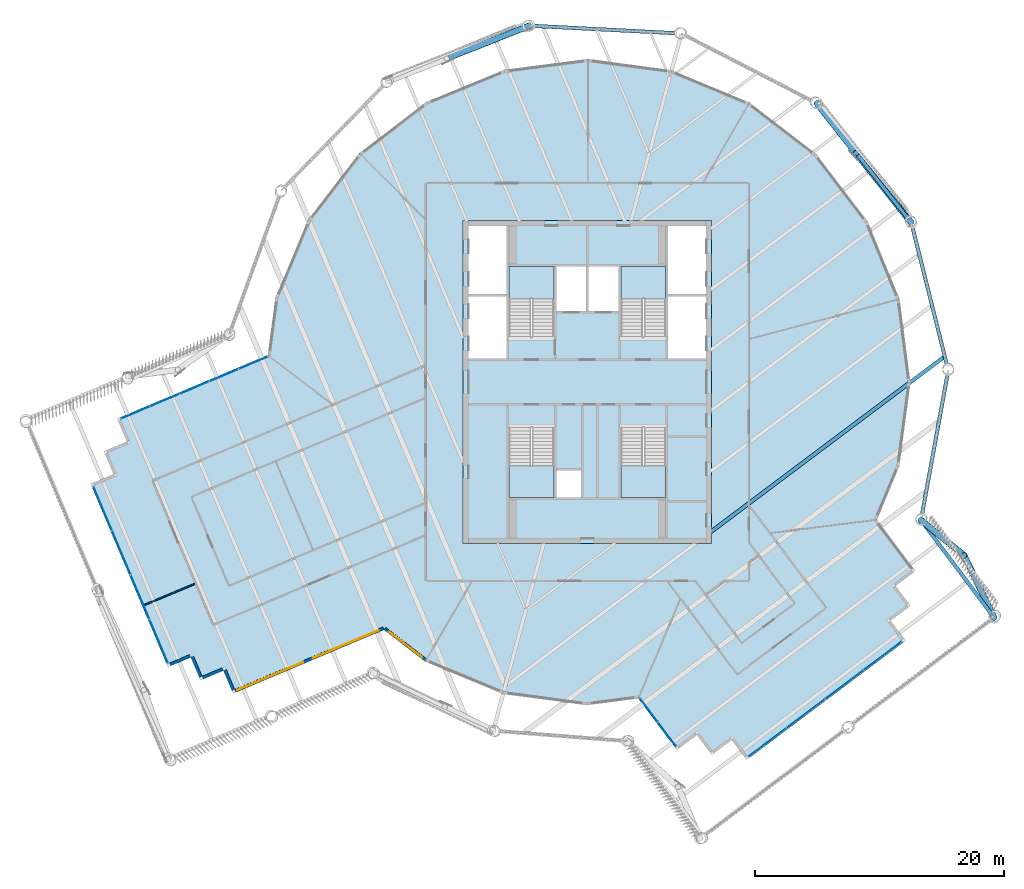
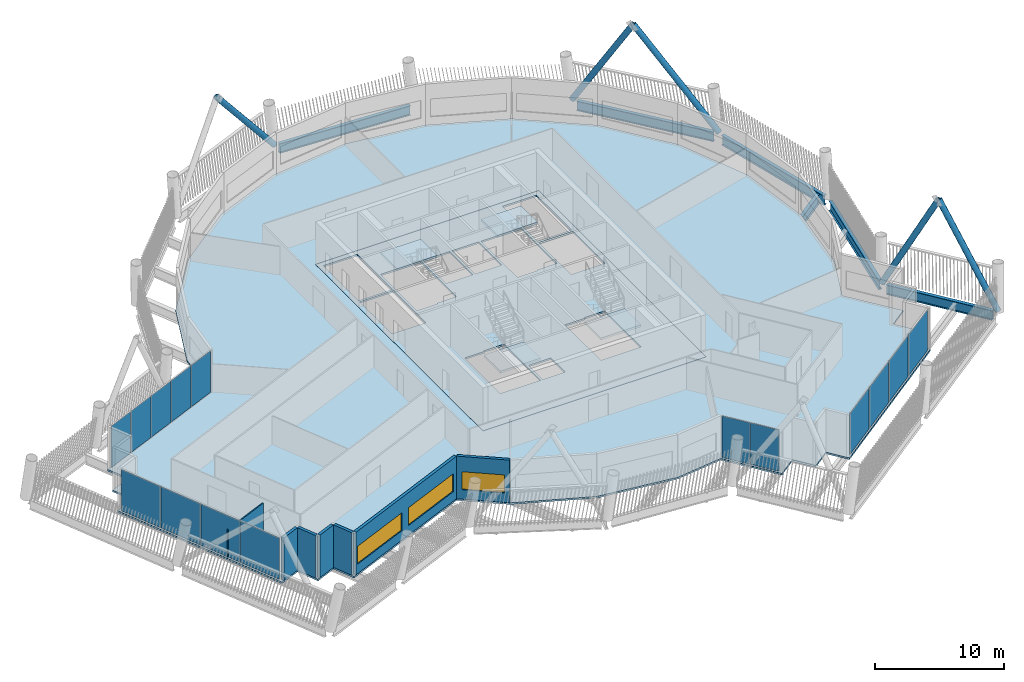
# One storey, part 16 of 35: 15 plates, 7 walls, 6 beams, 6 slabs, 5 members, 3 windows, 3 openings, 8 elements without a shape of their own.
"""IFC4 building model written with IfcOpenShell, lengths in metres."""

from ifc_helpers import new_model, si_unit, direction, frame, frame_2d, origin, origin_2d, place, context, subcontext, project, spatial, polyline, rectangle, hollow_circle, i_section, outline, extrude, material, layer, layer_set, material_profile, profile_set, type_object, element, fill, aggregate, save


model = new_model("IFC4")

# Units and contexts
model_context = context("Model", 3, precision=1e-05, world=origin(), true_north=direction((0.0, 1.0)))
body_context = subcontext(model_context, "Body", "Model", "MODEL_VIEW")
ifc_project = project(units=[si_unit("LENGTHUNIT", "METRE"), si_unit("AREAUNIT", "SQUARE_METRE"), si_unit("VOLUMEUNIT", "CUBIC_METRE"), si_unit("PLANEANGLEUNIT", "RADIAN"), si_unit("MASSUNIT", "GRAM", prefix="KILO")], contexts=[model_context])

# Site, building, storey
site_placement = place(None, origin())
site = spatial("IfcSite", under=ifc_project, at=site_placement, CompositionType="ELEMENT")
building_placement = place(site_placement, origin())
building = spatial("IfcBuilding", under=site, at=building_placement, Name="Tarsis Ring Headquarters", CompositionType="ELEMENT")
storey_placement = place(building_placement, frame((0.0, 0.0, 377.60009765625)))
storey = spatial("IfcBuildingStorey", under=building, at=storey_placement, Name="L89", CompositionType="ELEMENT", Elevation=377.60009765625)

# Beam
ifc_material_1 = material(Name="Structural steel S355", Category="steel")
ifc_material_profile_1 = material_profile(ifc_material_1, i_section(OverallWidth=0.3046875, OverallDepth=0.91943359375, WebThickness=0.017333984375, FlangeThickness=0.02783203125, at=origin_2d()), Name="W36x170")
ifc_profile_set_1 = profile_set([ifc_material_profile_1], Name="Structural steel S355")
beam_type_1 = type_object("IfcBeamType", Name="FB Floor beam W36x170", PredefinedType="JOIST", material=ifc_profile_set_1)
beam_1_placement = place(storey_placement, frame((9.919921875, -12.059814453125, -0.619873046875), z_axis=(0.799896412003, 0.600138092496, 0.0), x_axis=(-0.600138092496, 0.799896412003, 0.0)))
element("IfcBeam", 1, at=beam_1_placement, inside=storey, type_object=beam_type_1, Name="Floor beam FB9", PredefinedType="JOIST", context=body_context, shape_type="SweptSolid", body=[
    extrude(i_section(OverallWidth=0.3046875, OverallDepth=0.91943359375, WebThickness=0.017333984375, FlangeThickness=0.02783203125, at=origin_2d()), origin(), (0.0, 0.0, 1.0), 23.476806640625),
])

# Members
ifc_material_profile_2 = material_profile(ifc_material_1, hollow_circle(Radius=0.25390625, WallThickness=0.02001953125, at=origin_2d()), Name="CHS 508x20")
ifc_profile_set_2 = profile_set([ifc_material_profile_2], Name="Structural steel S355")
member_type = type_object("IfcMemberType", Name="XD X brace CHS 508x20", PredefinedType="BRACE", material=ifc_profile_set_2)
member_1_placement = place(storey_placement, frame((32.723388671875, -18.954345703125, 0.0), z_axis=(-0.239788765562, 0.497459918855, 0.833687577599), x_axis=(-0.900809750981, -0.434213993946, 0.0)))
element("IfcMember", 2, at=member_1_placement, inside=storey, type_object=member_type, Name="X brace XD2", PredefinedType="BRACE", context=body_context, shape_type="SweptSolid", body=[
    extrude(hollow_circle(Radius=0.25390625, WallThickness=0.02001953125, at=origin_2d()), origin(), (0.0, 0.0, 1.0), 10.07568359375),
])
member_2_placement = place(storey_placement, frame((26.83935546875, -11.111572265625, 0.0), z_axis=(0.364353475086, -0.297382202756, 0.882502334658), x_axis=(0.632313703011, 0.774712450516, 0.0)))
element("IfcMember", 3, at=member_2_placement, inside=storey, type_object=member_type, Name="X brace XD2", PredefinedType="BRACE", context=body_context, shape_type="SweptSolid", body=[
    extrude(hollow_circle(Radius=0.25390625, WallThickness=0.02001953125, at=origin_2d()), origin(), (0.0, 0.0, 1.0), 9.518310546875),
])
member_3_placement = place(storey_placement, frame((26.065185546875, 12.82275390625, 0.0), z_axis=(-0.403816531769, 0.507364905485, 0.761257552575), x_axis=(-0.782427612506, -0.622741544453, 0.0)))
element("IfcMember", 4, at=member_3_placement, inside=storey, type_object=member_type, Name="X brace XD2", PredefinedType="BRACE", context=body_context, shape_type="SweptSolid", body=[
    extrude(hollow_circle(Radius=0.25390625, WallThickness=0.02001953125, at=origin_2d()), origin(), (0.0, 0.0, 1.0), 11.0341796875),
])
member_4_placement = place(storey_placement, frame((18.46240234375, 22.4267578125, 0.0), z_axis=(0.320342178647, -0.407746634993, 0.855057641468), x_axis=(0.786346610693, 0.617785567857, 0.0)))
element("IfcMember", 5, at=member_4_placement, inside=storey, type_object=member_type, Name="X brace XD2", PredefinedType="BRACE", context=body_context, shape_type="SweptSolid", body=[
    extrude(hollow_circle(Radius=0.25390625, WallThickness=0.02001953125, at=origin_2d()), origin(), (0.0, 0.0, 1.0), 9.82373046875),
])
member_5_placement = place(storey_placement, frame((-4.655517578125, 28.673095703125, 0.0), z_axis=(-0.603147375281, -0.23811709658, 0.761257835433), x_axis=(0.367210039101, -0.93013804738, 0.0)))
element("IfcMember", 6, at=member_5_placement, inside=storey, type_object=member_type, Name="X brace XD2", PredefinedType="BRACE", context=body_context, shape_type="SweptSolid", body=[
    extrude(hollow_circle(Radius=0.25390625, WallThickness=0.02001953125, at=origin_2d()), origin(), (0.0, 0.0, 1.0), 11.0341796875),
])

# Beams
beam_type_2 = type_object("IfcBeamType", Name="XG Ring girder W36x170", PredefinedType="BEAM", material=ifc_profile_set_1)
beam_2_placement = place(storey_placement, frame((32.476318359375, -18.625, -0.4599609375), z_axis=(-0.600147865662, 0.799889079399, 0.0), x_axis=(-0.799889079399, -0.600147865662, 0.0)))
element("IfcBeam", 7, at=beam_2_placement, inside=storey, type_object=beam_type_2, Name="Ring girder XG4", PredefinedType="BEAM", context=body_context, shape_type="SweptSolid", body=[
    extrude(i_section(OverallWidth=0.3046875, OverallDepth=0.91943359375, WebThickness=0.017333984375, FlangeThickness=0.02783203125, at=origin_2d()), origin(), (0.0, 0.0, 1.0), 8.9814453125),
])
for number, where, z_axis, x_axis, name in (
    (8, (26.9130859375, -10.706787109375, -0.4599609375), (0.179124236756, 0.983826462241, 0.0), (-0.983826462241, 0.179124236756, 0.0), "Ring girder XG4"),
    (9, (28.93359375, 1.33837890625, -0.4599609375), (-0.242329485464, 0.97019401177, 0.0), (-0.97019401177, -0.242329485464, 0.0), "Ring girder XG4"),
):
    element("IfcBeam", number, at=place(storey_placement, frame(where, z_axis=z_axis, x_axis=x_axis)), inside=storey, type_object=beam_type_2, Name=name, PredefinedType="BEAM", context=body_context, shape_type="SweptSolid", body=[
        extrude(i_section(OverallWidth=0.3046875, OverallDepth=0.91943359375, WebThickness=0.017333984375, FlangeThickness=0.02783203125, at=origin_2d()), origin(), (0.0, 0.0, 1.0), 11.42578125),
    ])
beam_3_placement = place(storey_placement, frame((25.809814453125, 13.1455078125, -0.4599609375), z_axis=(-0.620697471414, 0.784050157184, 0.0), x_axis=(-0.784050157184, -0.620697471414, 0.0)))
element("IfcBeam", 10, at=beam_3_placement, inside=storey, type_object=beam_type_2, Name="Ring girder XG4", PredefinedType="BEAM", context=body_context, shape_type="SweptSolid", body=[
    extrude(i_section(OverallWidth=0.3046875, OverallDepth=0.91943359375, WebThickness=0.017333984375, FlangeThickness=0.02783203125, at=origin_2d()), origin(), (0.0, 0.0, 1.0), 11.426025390625),
])
beam_4_placement = place(storey_placement, frame((7.166015625, 28.06396484375, -0.4599609375), z_axis=(-0.998675417036, 0.05145300193, 0.0), x_axis=(-0.05145300193, -0.998675417036, 0.0)))
element("IfcBeam", 11, at=beam_4_placement, inside=storey, type_object=beam_type_2, Name="Ring girder XG4", PredefinedType="BEAM", context=body_context, shape_type="SweptSolid", body=[
    extrude(i_section(OverallWidth=0.3046875, OverallDepth=0.91943359375, WebThickness=0.017333984375, FlangeThickness=0.02783203125, at=origin_2d()), origin(), (0.0, 0.0, 1.0), 11.42578125),
])

# Slab
ifc_material_2 = material(Name="Concrete C40/50", Category="concrete")
ifc_layer_1 = layer(ifc_material_2, 0.159912109375)
ifc_layer_set_1 = layer_set([ifc_layer_1], Name="Core floor slab 160 C40/50")
slab_type_1 = type_object("IfcSlabType", Name="Core floor slab 160 C40/50", PredefinedType="FLOOR", material=ifc_layer_set_1)
slab_1_placement = place(storey_placement, frame((0.0, 0.0, -0.16015625)))
element("IfcSlab", 12, at=slab_1_placement, inside=storey, type_object=slab_type_1, Name="L89 core floor slab", PredefinedType="FLOOR", context=body_context, shape_type="SweptSolid", body=[
    extrude(outline(polyline([(-10.0, -13.0), (10.0, -13.0), (10.0, 13.0), (-10.0, 13.0), (-10.0, -13.0)]), holes=[polyline([(-2.5, 5.699951171875), (-0.10009765625, 5.699951171875), (-0.10009765625, 9.300048828125), (-2.5, 9.300048828125), (-2.5, 5.699951171875)]), polyline([(0.10009765625, 5.699951171875), (2.5, 5.699951171875), (2.5, 9.300048828125), (0.10009765625, 9.300048828125), (0.10009765625, 5.699951171875)]), polyline([(-9.550048828125, 1.89990234375), (-6.5, 1.89990234375), (-6.5, 6.89990234375), (-9.550048828125, 6.89990234375), (-9.550048828125, 1.89990234375)]), polyline([(-9.550048828125, 7.10009765625), (-6.5, 7.10009765625), (-6.5, 12.550048828125), (-9.550048828125, 12.550048828125), (-9.550048828125, 7.10009765625)]), polyline([(6.5, 1.89990234375), (9.550048828125, 1.89990234375), (9.550048828125, 6.89990234375), (6.5, 6.89990234375), (6.5, 1.89990234375)]), polyline([(6.5, 7.10009765625), (9.550048828125, 7.10009765625), (9.550048828125, 12.550048828125), (6.5, 12.550048828125), (6.5, 7.10009765625)]), polyline([(-2.5, -9.300048828125), (-0.5, -9.300048828125), (-0.5, -7.10009765625), (-2.5, -7.10009765625), (-2.5, -9.300048828125)]), polyline([(-2.699951171875, 3.760009765625), (-2.699951171875, 9.300048828125), (-6.300048828125, 9.300048828125), (-6.300048828125, 3.659912109375), (-4.4599609375, 3.659912109375), (-4.4599609375, 3.760009765625), (-2.699951171875, 3.760009765625)]), polyline([(6.300048828125, 3.760009765625), (6.300048828125, 9.300048828125), (2.699951171875, 9.300048828125), (2.699951171875, 3.659912109375), (4.5400390625, 3.659912109375), (4.5400390625, 3.760009765625), (6.300048828125, 3.760009765625)]), polyline([(-6.300048828125, -3.760009765625), (-6.300048828125, -9.300048828125), (-2.699951171875, -9.300048828125), (-2.699951171875, -3.659912109375), (-4.5400390625, -3.659912109375), (-4.5400390625, -3.760009765625), (-6.300048828125, -3.760009765625)]), polyline([(2.699951171875, -3.760009765625), (2.699951171875, -9.300048828125), (6.300048828125, -9.300048828125), (6.300048828125, -3.659912109375), (4.4599609375, -3.659912109375), (4.4599609375, -3.760009765625), (2.699951171875, -3.760009765625)])]), origin(), (0.0, 0.0, 1.0), 0.16015625),
])

# Stair, slab
ifc_material_3 = material(Name="Core stair 1760")
stair_type = type_object("IfcStairType", Name="Core stair 1760", PredefinedType="HALF_TURN_STAIR", material=ifc_material_3)
stair_1_placement = place(storey_placement, origin())
stair_1 = element("IfcStair", 13, at=stair_1_placement, inside=storey, type_object=stair_type, Name="L89 Firefighting stair", PredefinedType="HALF_TURN_STAIR")
ifc_layer_2 = layer(ifc_material_2, 0.199951171875)
ifc_layer_set_2 = layer_set([ifc_layer_2], Name="Core stair landing 200")
slab_type_2 = type_object("IfcSlabType", Name="Core stair landing 200", PredefinedType="LANDING", material=ifc_layer_set_2)
slab_2_placement = place(storey_placement, frame((0.0, 0.0, 1.89990234375)))
slab_2 = element("IfcSlab", 14, at=slab_2_placement, type_object=slab_type_2, Name="Stair ST1 landing 1", PredefinedType="LANDING", context=body_context, shape_type="SweptSolid", body=[
    extrude(outline(polyline([(-2.699951171875, 6.739990234375), (-2.699951171875, 9.300048828125), (-6.300048828125, 9.300048828125), (-6.300048828125, 6.739990234375), (-2.699951171875, 6.739990234375)])), origin(), (0.0, 0.0, 1.0), 0.199951171875),
])
aggregate(stair_1, [slab_2])

stair_2_placement = place(storey_placement, origin())
stair_2 = element("IfcStair", 15, at=stair_2_placement, inside=storey, type_object=stair_type, Name="L89 Exit stair B", PredefinedType="HALF_TURN_STAIR")
slab_3_placement = place(storey_placement, frame((0.0, 0.0, 1.89990234375)))
slab_3 = element("IfcSlab", 16, at=slab_3_placement, type_object=slab_type_2, Name="Stair ST2 landing 1", PredefinedType="LANDING", context=body_context, shape_type="SweptSolid", body=[
    extrude(outline(polyline([(6.300048828125, 6.739990234375), (6.300048828125, 9.300048828125), (2.699951171875, 9.300048828125), (2.699951171875, 6.739990234375), (6.300048828125, 6.739990234375)])), origin(), (0.0, 0.0, 1.0), 0.199951171875),
])
aggregate(stair_2, [slab_3])

stair_3_placement = place(storey_placement, origin())
stair_3 = element("IfcStair", 17, at=stair_3_placement, inside=storey, type_object=stair_type, Name="L89 Exit stair C", PredefinedType="HALF_TURN_STAIR")
slab_4_placement = place(storey_placement, frame((0.0, 0.0, 1.89990234375)))
slab_4 = element("IfcSlab", 18, at=slab_4_placement, type_object=slab_type_2, Name="Stair ST3 landing 1", PredefinedType="LANDING", context=body_context, shape_type="SweptSolid", body=[
    extrude(outline(polyline([(-6.300048828125, -6.739990234375), (-6.300048828125, -9.300048828125), (-2.699951171875, -9.300048828125), (-2.699951171875, -6.739990234375), (-6.300048828125, -6.739990234375)])), origin(), (0.0, 0.0, 1.0), 0.199951171875),
])
aggregate(stair_3, [slab_4])

stair_4_placement = place(storey_placement, origin())
stair_4 = element("IfcStair", 19, at=stair_4_placement, inside=storey, type_object=stair_type, Name="L89 Exit stair D", PredefinedType="HALF_TURN_STAIR")
slab_5_placement = place(storey_placement, frame((0.0, 0.0, 1.89990234375)))
slab_5 = element("IfcSlab", 20, at=slab_5_placement, type_object=slab_type_2, Name="Stair ST4 landing 1", PredefinedType="LANDING", context=body_context, shape_type="SweptSolid", body=[
    extrude(outline(polyline([(2.699951171875, -6.739990234375), (2.699951171875, -9.300048828125), (6.300048828125, -9.300048828125), (6.300048828125, -6.739990234375), (2.699951171875, -6.739990234375)])), origin(), (0.0, 0.0, 1.0), 0.199951171875),
])
aggregate(stair_4, [slab_5])

# Curtain wall, plates
ifc_material_4 = material(Name="Aluminium curtain wall", Category="aluminium")
ifc_layer_3 = layer(ifc_material_4, 0.199951171875)
ifc_layer_set_3 = layer_set([ifc_layer_3], Name="Curtain wall executive tip")
curtain_wall_type_1 = type_object("IfcCurtainWallType", Name="Curtain wall executive tip", PredefinedType="NOTDEFINED", material=ifc_layer_set_3)
curtain_wall_1_placement = place(storey_placement, origin())
curtain_wall_1 = element("IfcCurtainWall", 21, at=curtain_wall_1_placement, inside=storey, type_object=curtain_wall_type_1, Name="Curtain wall L89-11", PredefinedType="NOTDEFINED")
ifc_material_5 = material(Name="Clear double glazing", Category="glass")
ifc_layer_4 = layer(ifc_material_5, 0.028076171875)
ifc_layer_set_4 = layer_set([ifc_layer_4], Name="Curtain wall glass panel executive tip")
plate_type_1 = type_object("IfcPlateType", Name="Curtain wall glass panel executive tip", PredefinedType="CURTAIN_PANEL", material=ifc_layer_set_4)
plate_1_placement = place(storey_placement, frame((14.494140625, -28.974365234375, 0.070068359375), z_axis=(0.0, 0.0, 1.0), x_axis=(0.799894201763, 0.600141038412, 0.0)))
plate_1 = element("IfcPlate", 22, at=plate_1_placement, type_object=plate_type_1, Name="CW-E panel 1.1", PredefinedType="CURTAIN_PANEL", context=body_context, shape_type="SweptSolid", body=[
    extrude(rectangle(XDim=3.77001953125, YDim=0.028076171875, at=origin_2d()), origin(), (0.0, 0.0, 1.0), 3.89990234375),
])
plate_2_placement = place(storey_placement, frame((17.57958984375, -26.659423828125, 0.070068359375), z_axis=(0.0, 0.0, 1.0), x_axis=(0.799894201763, 0.600141038412, 0.0)))
plate_2 = element("IfcPlate", 23, at=plate_2_placement, type_object=plate_type_1, Name="CW-E panel 2.1", PredefinedType="CURTAIN_PANEL", context=body_context, shape_type="SweptSolid", body=[
    extrude(rectangle(XDim=3.804931640625, YDim=0.028076171875, at=origin_2d()), origin(), (0.0, 0.0, 1.0), 3.89990234375),
])
plate_3_placement = place(storey_placement, frame((20.67919921875, -24.333740234375, 0.070068359375), z_axis=(0.0, 0.0, 1.0), x_axis=(0.799894201763, 0.600141038412, 0.0)))
plate_3 = element("IfcPlate", 24, at=plate_3_placement, type_object=plate_type_1, Name="CW-E panel 3.1", PredefinedType="CURTAIN_PANEL", context=body_context, shape_type="SweptSolid", body=[
    extrude(rectangle(XDim=3.804931640625, YDim=0.028076171875, at=origin_2d()), origin(), (0.0, 0.0, 1.0), 3.89990234375),
])
plate_4_placement = place(storey_placement, frame((23.764892578125, -22.018798828125, 0.070068359375), z_axis=(0.0, 0.0, 1.0), x_axis=(0.799894201763, 0.600141038412, 0.0)))
plate_4 = element("IfcPlate", 25, at=plate_4_placement, type_object=plate_type_1, Name="CW-E panel 4.1", PredefinedType="CURTAIN_PANEL", context=body_context, shape_type="SweptSolid", body=[
    extrude(rectangle(XDim=3.77001953125, YDim=0.028076171875, at=origin_2d()), origin(), (0.0, 0.0, 1.0), 3.89990234375),
])
aggregate(curtain_wall_1, [plate_1, plate_2, plate_3, plate_4])

curtain_wall_2_placement = place(storey_placement, origin())
curtain_wall_2 = element("IfcCurtainWall", 26, at=curtain_wall_2_placement, inside=storey, type_object=curtain_wall_type_1, Name="Curtain wall L89-36", PredefinedType="NOTDEFINED")
plate_5_placement = place(storey_placement, frame((-38.99072265625, -10.16455078125, 0.070068359375), z_axis=(0.0, 0.0, 1.0), x_axis=(0.388802391289, -0.921321171215, 0.0)))
plate_5 = element("IfcPlate", 27, at=plate_5_placement, type_object=plate_type_1, Name="CW-E panel 1.1", PredefinedType="CURTAIN_PANEL", context=body_context, shape_type="SweptSolid", body=[
    extrude(rectangle(XDim=3.77001953125, YDim=0.028076171875, at=origin_2d()), origin(), (0.0, 0.0, 1.0), 3.89990234375),
])
plate_6_placement = place(storey_placement, frame((-37.490966796875, -13.718505859375, 0.070068359375), z_axis=(0.0, 0.0, 1.0), x_axis=(0.388802391289, -0.921321171215, 0.0)))
plate_6 = element("IfcPlate", 28, at=plate_6_placement, type_object=plate_type_1, Name="CW-E panel 2.1", PredefinedType="CURTAIN_PANEL", context=body_context, shape_type="SweptSolid", body=[
    extrude(rectangle(XDim=3.804931640625, YDim=0.028076171875, at=origin_2d()), origin(), (0.0, 0.0, 1.0), 3.89990234375),
])
plate_7_placement = place(storey_placement, frame((-35.984375, -17.28857421875, 0.070068359375), z_axis=(0.0, 0.0, 1.0), x_axis=(0.388802391289, -0.921321171215, 0.0)))
plate_7 = element("IfcPlate", 29, at=plate_7_placement, type_object=plate_type_1, Name="CW-E panel 3.1", PredefinedType="CURTAIN_PANEL", context=body_context, shape_type="SweptSolid", body=[
    extrude(rectangle(XDim=3.804931640625, YDim=0.028076171875, at=origin_2d()), origin(), (0.0, 0.0, 1.0), 3.89990234375),
])
plate_8_placement = place(storey_placement, frame((-34.484619140625, -20.842529296875, 0.070068359375), z_axis=(0.0, 0.0, 1.0), x_axis=(0.388802391289, -0.921321171215, 0.0)))
plate_8 = element("IfcPlate", 30, at=plate_8_placement, type_object=plate_type_1, Name="CW-E panel 4.1", PredefinedType="CURTAIN_PANEL", context=body_context, shape_type="SweptSolid", body=[
    extrude(rectangle(XDim=3.77001953125, YDim=0.028076171875, at=origin_2d()), origin(), (0.0, 0.0, 1.0), 3.89990234375),
])
aggregate(curtain_wall_2, [plate_5, plate_6, plate_7, plate_8])

ifc_layer_5 = layer(ifc_material_4, 0.14990234375)
ifc_layer_set_5 = layer_set([ifc_layer_5], Name="Curtain wall tower unit")
curtain_wall_type_2 = type_object("IfcCurtainWallType", Name="Curtain wall tower unit", PredefinedType="NOTDEFINED", material=ifc_layer_set_5)
curtain_wall_3_placement = place(storey_placement, origin())
curtain_wall_3 = element("IfcCurtainWall", 31, at=curtain_wall_3_placement, inside=storey, type_object=curtain_wall_type_2, Name="Curtain wall L89-06", PredefinedType="NOTDEFINED")
ifc_layer_6 = layer(ifc_material_5, 0.028076171875)
ifc_layer_set_6 = layer_set([ifc_layer_6], Name="Curtain wall glass panel tower unit")
plate_type_2 = type_object("IfcPlateType", Name="Curtain wall glass panel tower unit", PredefinedType="CURTAIN_PANEL", material=ifc_layer_set_6)
plate_9_placement = place(storey_placement, frame((4.94873046875, -26.3828125, 0.06005859375), z_axis=(0.0, 0.0, 1.0), x_axis=(0.60014094165, -0.799894274361, 0.0)))
plate_9 = element("IfcPlate", 32, at=plate_9_placement, type_object=plate_type_2, Name="CW-T panel 1.1", PredefinedType="CURTAIN_PANEL", context=body_context, shape_type="SweptSolid", body=[
    extrude(rectangle(XDim=2.37109375, YDim=0.028076171875, at=origin_2d()), origin(), (0.0, 0.0, 1.0), 3.919921875),
])
plate_10_placement = place(storey_placement, frame((6.40771484375, -28.327392578125, 0.06005859375), z_axis=(0.0, 0.0, 1.0), x_axis=(0.60014094165, -0.799894274361, 0.0)))
plate_10 = element("IfcPlate", 33, at=plate_10_placement, type_object=plate_type_2, Name="CW-T panel 2.1", PredefinedType="CURTAIN_PANEL", context=body_context, shape_type="SweptSolid", body=[
    extrude(rectangle(XDim=2.37109375, YDim=0.028076171875, at=origin_2d()), origin(), (0.0, 0.0, 1.0), 3.919921875),
])
aggregate(curtain_wall_3, [plate_9, plate_10])

curtain_wall_4_placement = place(storey_placement, origin())
curtain_wall_4 = element("IfcCurtainWall", 34, at=curtain_wall_4_placement, inside=storey, type_object=curtain_wall_type_2, Name="Curtain wall L89-31", PredefinedType="NOTDEFINED")
plate_11_placement = place(storey_placement, frame((-26.870361328125, 1.549560546875, 0.06005859375), z_axis=(0.0, 0.0, 1.0), x_axis=(-0.921321141838, -0.388802460899, 0.0)))
plate_11 = element("IfcPlate", 35, at=plate_11_placement, type_object=plate_type_2, Name="CW-T panel 1.1", PredefinedType="CURTAIN_PANEL", context=body_context, shape_type="SweptSolid", body=[
    extrude(rectangle(XDim=2.490234375, YDim=0.028076171875, at=origin_2d()), origin(), (0.0, 0.0, 1.0), 3.919921875),
])
plate_12_placement = place(storey_placement, frame((-29.23388671875, 0.55224609375, 0.06005859375), z_axis=(0.0, 0.0, 1.0), x_axis=(-0.921321141838, -0.388802460899, 0.0)))
plate_12 = element("IfcPlate", 36, at=plate_12_placement, type_object=plate_type_2, Name="CW-T panel 2.1", PredefinedType="CURTAIN_PANEL", context=body_context, shape_type="SweptSolid", body=[
    extrude(rectangle(XDim=2.520263671875, YDim=0.028076171875, at=origin_2d()), origin(), (0.0, 0.0, 1.0), 3.919921875),
])
plate_13_placement = place(storey_placement, frame((-31.611083984375, -0.450927734375, 0.06005859375), z_axis=(0.0, 0.0, 1.0), x_axis=(-0.921321141838, -0.388802460899, 0.0)))
plate_13 = element("IfcPlate", 37, at=plate_13_placement, type_object=plate_type_2, Name="CW-T panel 3.1", PredefinedType="CURTAIN_PANEL", context=body_context, shape_type="SweptSolid", body=[
    extrude(rectangle(XDim=2.520263671875, YDim=0.028076171875, at=origin_2d()), origin(), (0.0, 0.0, 1.0), 3.919921875),
])
plate_14_placement = place(storey_placement, frame((-33.98828125, -1.4541015625, 0.06005859375), z_axis=(0.0, 0.0, 1.0), x_axis=(-0.921321141838, -0.388802460899, 0.0)))
plate_14 = element("IfcPlate", 38, at=plate_14_placement, type_object=plate_type_2, Name="CW-T panel 4.1", PredefinedType="CURTAIN_PANEL", context=body_context, shape_type="SweptSolid", body=[
    extrude(rectangle(XDim=2.520263671875, YDim=0.028076171875, at=origin_2d()), origin(), (0.0, 0.0, 1.0), 3.919921875),
])
plate_15_placement = place(storey_placement, frame((-36.351806640625, -2.45166015625, 0.06005859375), z_axis=(0.0, 0.0, 1.0), x_axis=(-0.921321141838, -0.388802460899, 0.0)))
plate_15 = element("IfcPlate", 39, at=plate_15_placement, type_object=plate_type_2, Name="CW-T panel 5.1", PredefinedType="CURTAIN_PANEL", context=body_context, shape_type="SweptSolid", body=[
    extrude(rectangle(XDim=2.490234375, YDim=0.028076171875, at=origin_2d()), origin(), (0.0, 0.0, 1.0), 3.919921875),
])
aggregate(curtain_wall_4, [plate_11, plate_12, plate_13, plate_14, plate_15])

# Slab
ifc_material_6 = material(Name="Concrete C35/45", Category="concrete")
ifc_layer_7 = layer(ifc_material_6, 0.159912109375)
ifc_layer_set_7 = layer_set([ifc_layer_7], Name="FS Composite floor slab 160")
slab_type_3 = type_object("IfcSlabType", Name="FS Composite floor slab 160", PredefinedType="FLOOR", material=ifc_layer_set_7)
slab_6_placement = place(storey_placement, frame((0.0, 0.0, -0.16015625)))
element("IfcSlab", 40, at=slab_6_placement, inside=storey, type_object=slab_type_3, Name="Floor slab L89", PredefinedType="FLOOR", context=body_context, shape_type="SweptSolid", body=[
    extrude(outline(polyline([(-16.3662109375, -19.931396484375), (-13.047119140625, -22.489501953125), (-6.781982421875, -25.099853515625), (-0.054443359375, -26.0), (4.101318359375, -25.461669921875), (7.205322265625, -29.5986328125), (8.804931640625, -28.3984375), (10.00537109375, -29.998291015625), (11.60498046875, -28.7978515625), (12.805419921875, -30.397705078125), (25.603759765625, -20.79541015625), (24.4033203125, -19.19580078125), (26.003173828125, -17.995361328125), (24.802978515625, -16.3955078125), (26.402587890625, -15.1953125), (23.311279296875, -11.074951171875), (25.099853515625, -6.781982421875), (26.0, -0.054443359375), (25.128173828125, 6.6767578125), (22.5439453125, 12.952880859375), (18.42333984375, 18.34619140625), (13.047119140625, 22.489501953125), (6.781982421875, 25.099853515625), (0.054443359375, 26.0), (-6.6767578125, 25.128173828125), (-12.952880859375, 22.5439453125), (-18.34619140625, 18.42333984375), (-22.489501953125, 13.047119140625), (-25.099853515625, 6.781982421875), (-25.716552734375, 2.172119140625), (-37.833251953125, -2.94091796875), (-37.0556640625, -4.78369140625), (-38.898193359375, -5.561279296875), (-38.12060546875, -7.40380859375), (-39.96337890625, -8.181640625), (-33.742431640625, -22.922607421875), (-31.89990234375, -22.14501953125), (-31.1220703125, -23.98779296875), (-29.279541015625, -23.210205078125), (-28.501953125, -25.052734375), (-16.3662109375, -19.931396484375)]), holes=[polyline([(-10.0, -13.0), (-10.0, 13.0), (10.0, 13.0), (10.0, -13.0), (-10.0, -13.0)])]), origin(), (0.0, 0.0, 1.0), 0.16015625),
])

# Wall
ifc_material_7 = material(Name="Gypsum board on steel studs", Category="steel")
ifc_layer_8 = layer(ifc_material_7, 0.10009765625)
ifc_layer_set_8 = layer_set([ifc_layer_8], Name="FL partition 100 unrated")
wall_type_1 = type_object("IfcWallType", Name="FL partition 100 unrated", PredefinedType="PARTITIONING", material=ifc_layer_set_8)
wall_1_placement = place(storey_placement, frame((-35.768798828125, -17.99267578125, 0.0), z_axis=(0.0, 0.0, 1.0), x_axis=(0.921306074998, 0.388838161928, 0.0)))
element("IfcWall", 41, at=wall_1_placement, inside=storey, type_object=wall_type_1, Name="Partition PW3", PredefinedType="PARTITIONING", context=body_context, shape_type="SweptSolid", body=[
    extrude(rectangle(XDim=4.5400390625, YDim=0.10009765625, at=frame_2d((2.27001953125, 0.0))), origin(), (0.0, 0.0, 1.0), 2.699951171875),
])

# Wall, openings, windows
ifc_material_8 = material(Name="Terracotta clad insulated panel wall", Category="masonry")
ifc_layer_9 = layer(ifc_material_8, 0.25)
ifc_layer_set_9 = layer_set([ifc_layer_9], Name="Facade wall terracotta panel 250")
wall_type_2 = type_object("IfcWallType", Name="Facade wall terracotta panel 250", PredefinedType="STANDARD", material=ifc_layer_set_9)
wall_2_placement = place(storey_placement, frame((-28.3203125, -24.84033203125, 0.0), z_axis=(0.0, 0.0, 1.0), x_axis=(0.921321760548, 0.388800994778, 0.0)))
wall_2 = element("IfcWall", 42, at=wall_2_placement, inside=storey, type_object=wall_type_2, Name="External wall L89-01", PredefinedType="STANDARD", context=body_context, shape_type="SweptSolid", body=[
    extrude(rectangle(XDim=12.922119140625, YDim=0.25, at=frame_2d((6.4609375, 0.0))), origin(), (0.0, 0.0, 1.0), 4.039794921875),
])
opening_1_placement = place(wall_2_placement, frame((0.16796875, 0.0, 0.89990234375)))
opening_1 = element("IfcOpeningElement", 43, at=opening_1_placement, cuts=wall_2, Name="Opening WN06", PredefinedType="OPENING", context=body_context, shape_type="SweptSolid", body=[
    extrude(rectangle(XDim=5.75, YDim=1.699951171875, at=frame_2d((2.875, 0.85009765625))), frame((0.0, 0.135009765625, 0.0), z_axis=(0.0, -1.0, 0.0), x_axis=(1.0, 0.0, 0.0)), (0.0, 0.0, 1.0), 0.27001953125),
])
opening_2_placement = place(wall_2_placement, frame((6.75390625, 0.0, 0.89990234375)))
opening_2 = element("IfcOpeningElement", 44, at=opening_2_placement, cuts=wall_2, Name="Opening WN06", PredefinedType="OPENING", context=body_context, shape_type="SweptSolid", body=[
    extrude(rectangle(XDim=5.75, YDim=1.699951171875, at=frame_2d((2.875, 0.85009765625))), frame((0.0, 0.135009765625, 0.0), z_axis=(0.0, -1.0, 0.0), x_axis=(1.0, 0.0, 0.0)), (0.0, 0.0, 1.0), 0.27001953125),
])
ifc_material_9 = material(Name="Aluminium framed double glazing", Category="aluminium")
window_type_1 = type_object("IfcWindowType", Name="Facade window 5750 x 1700", PartitioningType="SINGLE_PANEL", PredefinedType="WINDOW", material=ifc_material_9)
window_1_placement = place(opening_1_placement, origin())
window_1 = element("IfcWindow", 45, at=window_1_placement, inside=storey, type_object=window_type_1, Name="Window L89-01.1", OverallHeight=1.699951171875, OverallWidth=5.75, PartitioningType="SINGLE_PANEL", PredefinedType="WINDOW", context=body_context, shape_type="SweptSolid", body=[
    extrude(rectangle(XDim=5.75, YDim=1.699951171875, at=frame_2d((2.875, 0.85009765625))), frame((0.0, 0.030029296875, 0.0), z_axis=(0.0, -1.0, 0.0), x_axis=(1.0, 0.0, 0.0)), (0.0, 0.0, 1.0), 0.06005859375),
])
fill(opening_1, window_1)
window_2_placement = place(opening_2_placement, origin())
window_2 = element("IfcWindow", 46, at=window_2_placement, inside=storey, type_object=window_type_1, Name="Window L89-01.2", OverallHeight=1.699951171875, OverallWidth=5.75, PartitioningType="SINGLE_PANEL", PredefinedType="WINDOW", context=body_context, shape_type="SweptSolid", body=[
    extrude(rectangle(XDim=5.75, YDim=1.699951171875, at=frame_2d((2.875, 0.85009765625))), frame((0.0, 0.030029296875, 0.0), z_axis=(0.0, -1.0, 0.0), x_axis=(1.0, 0.0, 0.0)), (0.0, 0.0, 1.0), 0.06005859375),
])
fill(opening_2, window_2)

# Wall, opening, window
wall_3_placement = place(storey_placement, frame((-16.2900390625, -19.83251953125, 0.0), z_axis=(0.0, 0.0, 1.0), x_axis=(0.79208886378, -0.610405792794, 0.0)))
wall_3 = element("IfcWall", 47, at=wall_3_placement, inside=storey, type_object=wall_type_2, Name="External wall L89-02", PredefinedType="STANDARD", context=body_context, shape_type="SweptSolid", body=[
    extrude(rectangle(XDim=4.15771484375, YDim=0.25, at=frame_2d((2.078857421875, 0.0))), origin(), (0.0, 0.0, 1.0), 4.039794921875),
])
opening_3_placement = place(wall_3_placement, frame((0.420166015625, 0.0, 0.89990234375)))
opening_3 = element("IfcOpeningElement", 48, at=opening_3_placement, cuts=wall_3, Name="Opening WN01", PredefinedType="OPENING", context=body_context, shape_type="SweptSolid", body=[
    extrude(rectangle(XDim=3.35009765625, YDim=1.699951171875, at=frame_2d((1.675048828125, 0.85009765625))), frame((0.0, 0.135009765625, 0.0), z_axis=(0.0, -1.0, 0.0), x_axis=(1.0, 0.0, 0.0)), (0.0, 0.0, 1.0), 0.27001953125),
])
window_type_2 = type_object("IfcWindowType", Name="Facade window 3350 x 1700", PartitioningType="SINGLE_PANEL", PredefinedType="WINDOW", material=ifc_material_9)
window_3_placement = place(opening_3_placement, origin())
window_3 = element("IfcWindow", 49, at=window_3_placement, inside=storey, type_object=window_type_2, Name="Window L89-02.1", OverallHeight=1.699951171875, OverallWidth=3.35009765625, PartitioningType="SINGLE_PANEL", PredefinedType="WINDOW", context=body_context, shape_type="SweptSolid", body=[
    extrude(rectangle(XDim=3.35009765625, YDim=1.699951171875, at=frame_2d((1.675048828125, 0.85009765625))), frame((0.0, 0.030029296875, 0.0), z_axis=(0.0, -1.0, 0.0), x_axis=(1.0, 0.0, 0.0)), (0.0, 0.0, 1.0), 0.06005859375),
])
fill(opening_3, window_3)

# Walls
for number, where, z_axis, x_axis, name in (
    (50, (-33.560791015625, -22.710205078125, 0.0), (0.0, 0.0, 1.0), (0.921317313947, 0.388811531492, 0.0), "External wall L89-37"),
    (51, (-31.78466796875, -22.096435546875, 0.0), (0.0, 0.0, 1.0), (0.388811531492, -0.921317313947, 0.0), "External wall L89-38"),
    (52, (-30.9404296875, -23.775390625, 0.0), (0.0, 0.0, 1.0), (0.921317313947, 0.388811531492, 0.0), "External wall L89-39"),
):
    element("IfcWall", number, at=place(storey_placement, frame(where, z_axis=z_axis, x_axis=x_axis)), inside=storey, type_object=wall_type_2, Name=name, PredefinedType="STANDARD", context=body_context, shape_type="SweptSolid", body=[
        extrude(rectangle(XDim=1.75, YDim=0.25, at=frame_2d((0.875, 0.0))), origin(), (0.0, 0.0, 1.0), 4.039794921875),
    ])
wall_4_placement = place(storey_placement, frame((-29.164306640625, -23.161376953125, 0.0), z_axis=(0.0, 0.0, 1.0), x_axis=(0.388761562603, -0.921338400069, 0.0)))
element("IfcWall", 53, at=wall_4_placement, inside=storey, type_object=wall_type_2, Name="External wall L89-40", PredefinedType="STANDARD", context=body_context, shape_type="SweptSolid", body=[
    extrude(rectangle(XDim=1.750244140625, YDim=0.25, at=frame_2d((0.875, 0.0))), origin(), (0.0, 0.0, 1.0), 4.039794921875),
])

save(model, "model.ifc")
